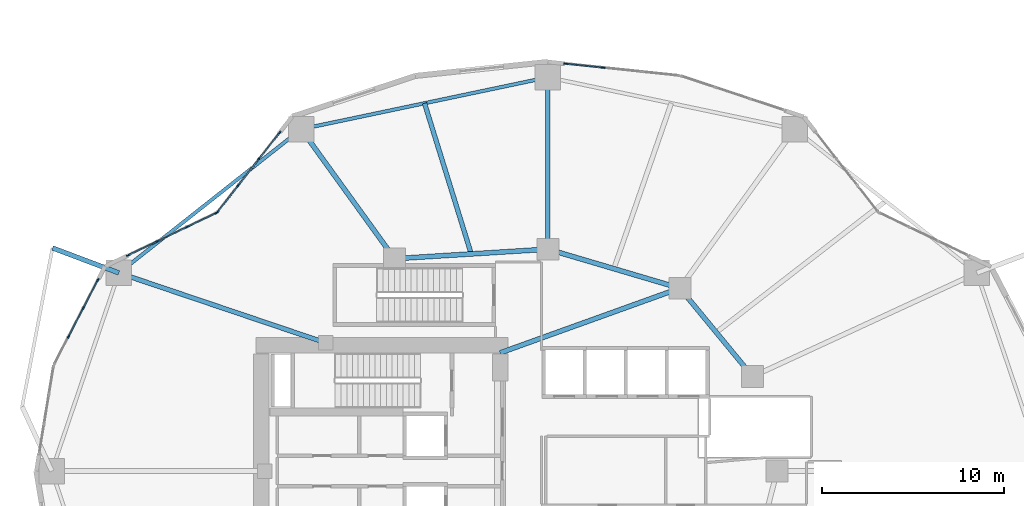
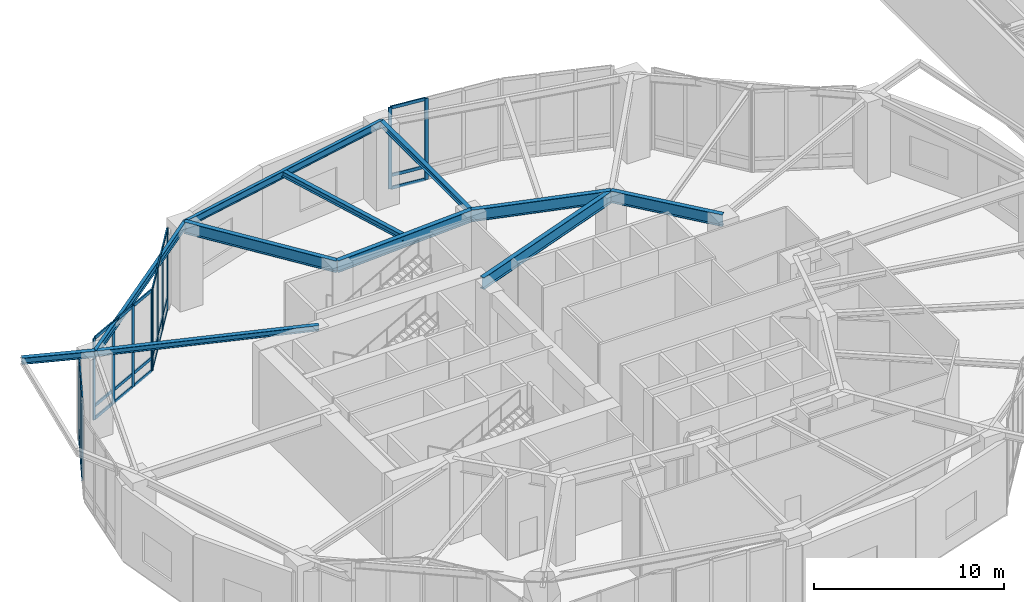
# One storey, part 9 of 29: 40 members, 11 beams, 4 elements without a shape of their own.
"""IFC4 building model written with IfcOpenShell, lengths in metres."""

from ifc_helpers import new_model, si_unit, direction, frame, origin, origin_2d, place, context, subcontext, project, spatial, rectangle, i_section, extrude, material, layer, layer_set, material_profile, profile_set, type_object, element, aggregate, save


model = new_model("IFC4")

# Units and contexts
model_context = context("Model", 3, precision=1e-05, world=origin(), true_north=direction((0.0, 1.0)))
body_context = subcontext(model_context, "Body", "Model", "MODEL_VIEW")
ifc_project = project(units=[si_unit("LENGTHUNIT", "METRE"), si_unit("AREAUNIT", "SQUARE_METRE"), si_unit("VOLUMEUNIT", "CUBIC_METRE"), si_unit("PLANEANGLEUNIT", "RADIAN"), si_unit("MASSUNIT", "GRAM", prefix="KILO")], contexts=[model_context])

# Site, building, storey
site_placement = place(None, origin())
site = spatial("IfcSite", under=ifc_project, at=site_placement, CompositionType="ELEMENT")
building_placement = place(site_placement, origin())
building = spatial("IfcBuilding", under=site, at=building_placement, Name="Kolvaren Gate Tower and Convention Centre", CompositionType="ELEMENT")
storey_placement = place(building_placement, frame((0.0, 0.0, 21.0)))
storey = spatial("IfcBuildingStorey", under=building, at=storey_placement, Name="L04", CompositionType="ELEMENT", Elevation=21.0)

# Curtain wall, members
ifc_material_1 = material(Name="Anodized Architectural Aluminium Alloy 6063-T6", Category="aluminium")
ifc_layer = layer(ifc_material_1, 0.179931640625)
ifc_layer_set = layer_set([ifc_layer], Name="Anodized Architectural Aluminium Alloy 6063-T6")
curtain_wall_type = type_object("IfcCurtainWallType", Name="CW-POD-GLZ", PredefinedType="NOTDEFINED", material=ifc_layer_set)
curtain_wall_1_placement = place(storey_placement, origin())
curtain_wall_1 = element("IfcCurtainWall", 1, at=curtain_wall_1_placement, inside=storey, type_object=curtain_wall_type, Name="Tower L04 Unitised Curtain Wall CW-POD-GLZ Bay 05", PredefinedType="NOTDEFINED")
ifc_material_profile_1 = material_profile(ifc_material_1, rectangle(XDim=0.074951171875, YDim=0.199951171875, at=origin_2d()), Name="CW-MEM-MUL-200")
ifc_profile_set_1 = profile_set([ifc_material_profile_1], Name="Anodized Architectural Aluminium Alloy 6063-T6")
member_type_1 = type_object("IfcMemberType", Name="CW-MEM-MUL-200", PredefinedType="MULLION", material=ifc_profile_set_1)
member_1_placement = place(storey_placement, frame((31.086181640625, 49.398681640625, 0.0), z_axis=(0.0, 0.0, 1.0), x_axis=(0.104748319841, 0.994498762941, 0.0)))
member_1 = element("IfcMember", 2, at=member_1_placement, type_object=member_type_1, Name="CW-01 mullion 1", PredefinedType="MULLION", context=body_context, shape_type="SweptSolid", body=[
    extrude(rectangle(XDim=0.074951171875, YDim=0.199951171875, at=origin_2d()), origin(), (0.0, 0.0, 1.0), 5.219970703125),
])
member_2_placement = place(storey_placement, frame((33.16748046875, 49.1796875, 0.0), z_axis=(0.0, 0.0, 1.0), x_axis=(0.104748319841, 0.994498762941, 0.0)))
member_2 = element("IfcMember", 3, at=member_2_placement, type_object=member_type_1, Name="CW-01 mullion 2", PredefinedType="MULLION", context=body_context, shape_type="SweptSolid", body=[
    extrude(rectangle(XDim=0.074951171875, YDim=0.199951171875, at=origin_2d()), origin(), (0.0, 0.0, 1.0), 5.219970703125),
])

curtain_wall_2_placement = place(storey_placement, origin())
curtain_wall_2 = element("IfcCurtainWall", 4, at=curtain_wall_2_placement, inside=storey, type_object=curtain_wall_type, Name="Tower L04 Unitised Curtain Wall CW-POD-GLZ Bay 08", PredefinedType="NOTDEFINED")
member_3_placement = place(storey_placement, frame((11.957763671875, 41.242431640625, 0.0), z_axis=(0.0, 0.0, 1.0), x_axis=(-0.787416755422, 0.616421003276, 0.0)))
member_3 = element("IfcMember", 5, at=member_3_placement, type_object=member_type_1, Name="CW-01 mullion 1", PredefinedType="MULLION", context=body_context, shape_type="SweptSolid", body=[
    extrude(rectangle(XDim=0.074951171875, YDim=0.199951171875, at=origin_2d()), origin(), (0.0, 0.0, 1.0), 5.219970703125),
])
member_4_placement = place(storey_placement, frame((13.08935546875, 42.68798828125, 0.0), z_axis=(0.0, 0.0, 1.0), x_axis=(-0.787416755422, 0.616421003276, 0.0)))
member_4 = element("IfcMember", 6, at=member_4_placement, type_object=member_type_1, Name="CW-01 mullion 2", PredefinedType="MULLION", context=body_context, shape_type="SweptSolid", body=[
    extrude(rectangle(XDim=0.074951171875, YDim=0.199951171875, at=origin_2d()), origin(), (0.0, 0.0, 1.0), 5.219970703125),
])
member_5_placement = place(storey_placement, frame((14.244140625, 44.1630859375, 0.0), z_axis=(0.0, 0.0, 1.0), x_axis=(-0.787416755422, 0.616421003276, 0.0)))
member_5 = element("IfcMember", 7, at=member_5_placement, type_object=member_type_1, Name="CW-01 mullion 3", PredefinedType="MULLION", context=body_context, shape_type="SweptSolid", body=[
    extrude(rectangle(XDim=0.074951171875, YDim=0.199951171875, at=origin_2d()), origin(), (0.0, 0.0, 1.0), 5.219970703125),
])
member_6_placement = place(storey_placement, frame((15.3759765625, 45.608642578125, 0.0), z_axis=(0.0, 0.0, 1.0), x_axis=(-0.787416755422, 0.616421003276, 0.0)))
member_6 = element("IfcMember", 8, at=member_6_placement, type_object=member_type_1, Name="CW-01 mullion 4", PredefinedType="MULLION", context=body_context, shape_type="SweptSolid", body=[
    extrude(rectangle(XDim=0.074951171875, YDim=0.199951171875, at=origin_2d()), origin(), (0.0, 0.0, 1.0), 5.219970703125),
])

curtain_wall_3_placement = place(storey_placement, origin())
curtain_wall_3 = element("IfcCurtainWall", 9, at=curtain_wall_3_placement, inside=storey, type_object=curtain_wall_type, Name="Tower L04 Unitised Curtain Wall CW-POD-GLZ Bay 09", PredefinedType="NOTDEFINED")
member_7_placement = place(storey_placement, frame((7.046630859375, 38.8642578125, 0.0), z_axis=(0.0, 0.0, 1.0), x_axis=(-0.433056703319, 0.901366679942, 0.0)))
member_7 = element("IfcMember", 10, at=member_7_placement, type_object=member_type_1, Name="CW-01 mullion 1", PredefinedType="MULLION", context=body_context, shape_type="SweptSolid", body=[
    extrude(rectangle(XDim=0.074951171875, YDim=0.199951171875, at=origin_2d()), origin(), (0.0, 0.0, 1.0), 5.219970703125),
])
member_8_placement = place(storey_placement, frame((8.6533203125, 39.63623046875, 0.0), z_axis=(0.0, 0.0, 1.0), x_axis=(-0.433056703319, 0.901366679942, 0.0)))
member_8 = element("IfcMember", 11, at=member_8_placement, type_object=member_type_1, Name="CW-01 mullion 2", PredefinedType="MULLION", context=body_context, shape_type="SweptSolid", body=[
    extrude(rectangle(XDim=0.074951171875, YDim=0.199951171875, at=origin_2d()), origin(), (0.0, 0.0, 1.0), 5.219970703125),
])
member_9_placement = place(storey_placement, frame((10.2939453125, 40.424560546875, 0.0), z_axis=(0.0, 0.0, 1.0), x_axis=(-0.433056703319, 0.901366679942, 0.0)))
member_9 = element("IfcMember", 12, at=member_9_placement, type_object=member_type_1, Name="CW-01 mullion 3", PredefinedType="MULLION", context=body_context, shape_type="SweptSolid", body=[
    extrude(rectangle(XDim=0.074951171875, YDim=0.199951171875, at=origin_2d()), origin(), (0.0, 0.0, 1.0), 5.219970703125),
])
member_10_placement = place(storey_placement, frame((11.90087890625, 41.196533203125, 0.0), z_axis=(0.0, 0.0, 1.0), x_axis=(-0.433056703319, 0.901366679942, 0.0)))
member_10 = element("IfcMember", 13, at=member_10_placement, type_object=member_type_1, Name="CW-01 mullion 4", PredefinedType="MULLION", context=body_context, shape_type="SweptSolid", body=[
    extrude(rectangle(XDim=0.074951171875, YDim=0.199951171875, at=origin_2d()), origin(), (0.0, 0.0, 1.0), 5.219970703125),
])

curtain_wall_4_placement = place(storey_placement, origin())
curtain_wall_4 = element("IfcCurtainWall", 14, at=curtain_wall_4_placement, inside=storey, type_object=curtain_wall_type, Name="Tower L04 Unitised Curtain Wall CW-POD-GLZ Bay 10", PredefinedType="NOTDEFINED")
member_11_placement = place(storey_placement, frame((3.77197265625, 34.39501953125, 0.0), z_axis=(0.0, 0.0, 1.0), x_axis=(-0.888028058024, 0.459789264949, 0.0)))
member_11 = element("IfcMember", 15, at=member_11_placement, type_object=member_type_1, Name="CW-01 mullion 2", PredefinedType="MULLION", context=body_context, shape_type="SweptSolid", body=[
    extrude(rectangle(XDim=0.074951171875, YDim=0.199951171875, at=origin_2d()), origin(), (0.0, 0.0, 1.0), 5.219970703125),
])
member_12_placement = place(storey_placement, frame((4.585693359375, 35.96630859375, 0.0), z_axis=(0.0, 0.0, 1.0), x_axis=(-0.888028058024, 0.459789264949, 0.0)))
member_12 = element("IfcMember", 16, at=member_12_placement, type_object=member_type_1, Name="CW-01 mullion 3", PredefinedType="MULLION", context=body_context, shape_type="SweptSolid", body=[
    extrude(rectangle(XDim=0.074951171875, YDim=0.199951171875, at=origin_2d()), origin(), (0.0, 0.0, 1.0), 5.219970703125),
])
member_13_placement = place(storey_placement, frame((5.382080078125, 37.504638671875, 0.0), z_axis=(0.0, 0.0, 1.0), x_axis=(-0.888028058024, 0.459789264949, 0.0)))
member_13 = element("IfcMember", 17, at=member_13_placement, type_object=member_type_1, Name="CW-01 mullion 4", PredefinedType="MULLION", context=body_context, shape_type="SweptSolid", body=[
    extrude(rectangle(XDim=0.074951171875, YDim=0.199951171875, at=origin_2d()), origin(), (0.0, 0.0, 1.0), 5.219970703125),
])

# Member
ifc_material_profile_2 = material_profile(ifc_material_1, rectangle(XDim=0.074951171875, YDim=0.199951171875, at=origin_2d()), Name="CW-MEM-TRN-200")
ifc_profile_set_2 = profile_set([ifc_material_profile_2], Name="Anodized Architectural Aluminium Alloy 6063-T6")
member_type_2 = type_object("IfcMemberType", Name="CW-MEM-TRN-200", PredefinedType="USERDEFINED", material=ifc_profile_set_2)
member_14_placement = place(storey_placement, frame((31.12353515625, 49.394775390625, 0.03759765625), z_axis=(0.9945074418, -0.104665888448, 0.0), x_axis=(0.104665888448, 0.9945074418, 0.0)))
member_14 = element("IfcMember", 18, at=member_14_placement, type_object=member_type_2, Name="CW-01 transom 1.1", ObjectType="TRANSOM", PredefinedType="USERDEFINED", context=body_context, shape_type="SweptSolid", body=[
    extrude(rectangle(XDim=0.074951171875, YDim=0.199951171875, at=origin_2d()), origin(), (0.0, 0.0, 1.0), 2.017578125),
])

member_15_placement = place(storey_placement, frame((31.12353515625, 49.394775390625, 0.85009765625), z_axis=(0.9945074418, -0.104665888448, 0.0), x_axis=(0.104665888448, 0.9945074418, 0.0)))
member_15 = element("IfcMember", 19, at=member_15_placement, type_object=member_type_2, Name="CW-01 transom 1.2", ObjectType="TRANSOM", PredefinedType="USERDEFINED", context=body_context, shape_type="SweptSolid", body=[
    extrude(rectangle(XDim=0.074951171875, YDim=0.199951171875, at=origin_2d()), origin(), (0.0, 0.0, 1.0), 2.017578125),
])

member_16_placement = place(storey_placement, frame((31.12353515625, 49.394775390625, 5.1826171875), z_axis=(0.9945074418, -0.104665888448, 0.0), x_axis=(0.104665888448, 0.9945074418, 0.0)))
member_16 = element("IfcMember", 20, at=member_16_placement, type_object=member_type_2, Name="CW-01 transom 1.3", ObjectType="TRANSOM", PredefinedType="USERDEFINED", context=body_context, shape_type="SweptSolid", body=[
    extrude(rectangle(XDim=0.074951171875, YDim=0.199951171875, at=origin_2d()), origin(), (0.0, 0.0, 1.0), 2.017578125),
])

aggregate(curtain_wall_1, [member_1, member_2, member_14, member_15, member_16])

member_17_placement = place(storey_placement, frame((11.98095703125, 41.27197265625, 0.03759765625), z_axis=(0.616442840137, 0.787399660175, 0.0), x_axis=(-0.787399660175, 0.616442840137, 0.0)))
member_17 = element("IfcMember", 21, at=member_17_placement, type_object=member_type_2, Name="CW-01 transom 1.1", ObjectType="TRANSOM", PredefinedType="USERDEFINED", context=body_context, shape_type="SweptSolid", body=[
    extrude(rectangle(XDim=0.074951171875, YDim=0.199951171875, at=origin_2d()), origin(), (0.0, 0.0, 1.0), 1.7607421875),
])

member_18_placement = place(storey_placement, frame((11.98095703125, 41.27197265625, 0.85009765625), z_axis=(0.616442840137, 0.787399660175, 0.0), x_axis=(-0.787399660175, 0.616442840137, 0.0)))
member_18 = element("IfcMember", 22, at=member_18_placement, type_object=member_type_2, Name="CW-01 transom 1.2", ObjectType="TRANSOM", PredefinedType="USERDEFINED", context=body_context, shape_type="SweptSolid", body=[
    extrude(rectangle(XDim=0.074951171875, YDim=0.199951171875, at=origin_2d()), origin(), (0.0, 0.0, 1.0), 1.7607421875),
])

member_19_placement = place(storey_placement, frame((11.98095703125, 41.27197265625, 5.1826171875), z_axis=(0.616442840137, 0.787399660175, 0.0), x_axis=(-0.787399660175, 0.616442840137, 0.0)))
member_19 = element("IfcMember", 23, at=member_19_placement, type_object=member_type_2, Name="CW-01 transom 1.3", ObjectType="TRANSOM", PredefinedType="USERDEFINED", context=body_context, shape_type="SweptSolid", body=[
    extrude(rectangle(XDim=0.074951171875, YDim=0.199951171875, at=origin_2d()), origin(), (0.0, 0.0, 1.0), 1.7607421875),
])

member_20_placement = place(storey_placement, frame((13.112548828125, 42.717529296875, 0.03759765625), z_axis=(0.616465649316, 0.787381802694, 0.0), x_axis=(-0.787381802694, 0.616465649316, 0.0)))
member_20 = element("IfcMember", 24, at=member_20_placement, type_object=member_type_2, Name="CW-01 transom 2.1", ObjectType="TRANSOM", PredefinedType="USERDEFINED", context=body_context, shape_type="SweptSolid", body=[
    extrude(rectangle(XDim=0.074951171875, YDim=0.199951171875, at=origin_2d()), origin(), (0.0, 0.0, 1.0), 1.79833984375),
])

member_21_placement = place(storey_placement, frame((13.112548828125, 42.717529296875, 0.85009765625), z_axis=(0.616465649316, 0.787381802694, 0.0), x_axis=(-0.787381802694, 0.616465649316, 0.0)))
member_21 = element("IfcMember", 25, at=member_21_placement, type_object=member_type_2, Name="CW-01 transom 2.2", ObjectType="TRANSOM", PredefinedType="USERDEFINED", context=body_context, shape_type="SweptSolid", body=[
    extrude(rectangle(XDim=0.074951171875, YDim=0.199951171875, at=origin_2d()), origin(), (0.0, 0.0, 1.0), 1.79833984375),
])

member_22_placement = place(storey_placement, frame((13.112548828125, 42.717529296875, 5.1826171875), z_axis=(0.616465649316, 0.787381802694, 0.0), x_axis=(-0.787381802694, 0.616465649316, 0.0)))
member_22 = element("IfcMember", 26, at=member_22_placement, type_object=member_type_2, Name="CW-01 transom 2.3", ObjectType="TRANSOM", PredefinedType="USERDEFINED", context=body_context, shape_type="SweptSolid", body=[
    extrude(rectangle(XDim=0.074951171875, YDim=0.199951171875, at=origin_2d()), origin(), (0.0, 0.0, 1.0), 1.79833984375),
])

member_23_placement = place(storey_placement, frame((14.267333984375, 44.192626953125, 0.03759765625), z_axis=(0.616442840137, 0.787399660175, 0.0), x_axis=(-0.787399660175, 0.616442840137, 0.0)))
member_23 = element("IfcMember", 27, at=member_23_placement, type_object=member_type_2, Name="CW-01 transom 3.1", ObjectType="TRANSOM", PredefinedType="USERDEFINED", context=body_context, shape_type="SweptSolid", body=[
    extrude(rectangle(XDim=0.074951171875, YDim=0.199951171875, at=origin_2d()), origin(), (0.0, 0.0, 1.0), 1.7607421875),
])

member_24_placement = place(storey_placement, frame((14.267333984375, 44.192626953125, 0.85009765625), z_axis=(0.616442840137, 0.787399660175, 0.0), x_axis=(-0.787399660175, 0.616442840137, 0.0)))
member_24 = element("IfcMember", 28, at=member_24_placement, type_object=member_type_2, Name="CW-01 transom 3.2", ObjectType="TRANSOM", PredefinedType="USERDEFINED", context=body_context, shape_type="SweptSolid", body=[
    extrude(rectangle(XDim=0.074951171875, YDim=0.199951171875, at=origin_2d()), origin(), (0.0, 0.0, 1.0), 1.7607421875),
])

member_25_placement = place(storey_placement, frame((14.267333984375, 44.192626953125, 5.1826171875), z_axis=(0.616442840137, 0.787399660175, 0.0), x_axis=(-0.787399660175, 0.616442840137, 0.0)))
member_25 = element("IfcMember", 29, at=member_25_placement, type_object=member_type_2, Name="CW-01 transom 3.3", ObjectType="TRANSOM", PredefinedType="USERDEFINED", context=body_context, shape_type="SweptSolid", body=[
    extrude(rectangle(XDim=0.074951171875, YDim=0.199951171875, at=origin_2d()), origin(), (0.0, 0.0, 1.0), 1.7607421875),
])

aggregate(curtain_wall_2, [member_3, member_4, member_5, member_6, member_17, member_18, member_19, member_20, member_21, member_22, member_23, member_24, member_25])

member_26_placement = place(storey_placement, frame((7.080322265625, 38.880615234375, 0.03759765625), z_axis=(0.901377999465, 0.433033142011, 0.0), x_axis=(-0.433033142011, 0.901377999465, 0.0)))
member_26 = element("IfcMember", 30, at=member_26_placement, type_object=member_type_2, Name="CW-01 transom 1.1", ObjectType="TRANSOM", PredefinedType="USERDEFINED", context=body_context, shape_type="SweptSolid", body=[
    extrude(rectangle(XDim=0.074951171875, YDim=0.199951171875, at=origin_2d()), origin(), (0.0, 0.0, 1.0), 1.707763671875),
])

member_27_placement = place(storey_placement, frame((7.080322265625, 38.880615234375, 0.85009765625), z_axis=(0.901377999465, 0.433033142011, 0.0), x_axis=(-0.433033142011, 0.901377999465, 0.0)))
member_27 = element("IfcMember", 31, at=member_27_placement, type_object=member_type_2, Name="CW-01 transom 1.2", ObjectType="TRANSOM", PredefinedType="USERDEFINED", context=body_context, shape_type="SweptSolid", body=[
    extrude(rectangle(XDim=0.074951171875, YDim=0.199951171875, at=origin_2d()), origin(), (0.0, 0.0, 1.0), 1.707763671875),
])

member_28_placement = place(storey_placement, frame((7.080322265625, 38.880615234375, 5.1826171875), z_axis=(0.901377999465, 0.433033142011, 0.0), x_axis=(-0.433033142011, 0.901377999465, 0.0)))
member_28 = element("IfcMember", 32, at=member_28_placement, type_object=member_type_2, Name="CW-01 transom 1.3", ObjectType="TRANSOM", PredefinedType="USERDEFINED", context=body_context, shape_type="SweptSolid", body=[
    extrude(rectangle(XDim=0.074951171875, YDim=0.199951171875, at=origin_2d()), origin(), (0.0, 0.0, 1.0), 1.707763671875),
])

member_29_placement = place(storey_placement, frame((8.687255859375, 39.652587890625, 0.03759765625), z_axis=(0.901339603895, 0.433113055046, 0.0), x_axis=(-0.433113055046, 0.901339603895, 0.0)))
member_29 = element("IfcMember", 33, at=member_29_placement, type_object=member_type_2, Name="CW-01 transom 2.1", ObjectType="TRANSOM", PredefinedType="USERDEFINED", context=body_context, shape_type="SweptSolid", body=[
    extrude(rectangle(XDim=0.074951171875, YDim=0.199951171875, at=origin_2d()), origin(), (0.0, 0.0, 1.0), 1.7451171875),
])

member_30_placement = place(storey_placement, frame((8.687255859375, 39.652587890625, 0.85009765625), z_axis=(0.901339603895, 0.433113055046, 0.0), x_axis=(-0.433113055046, 0.901339603895, 0.0)))
member_30 = element("IfcMember", 34, at=member_30_placement, type_object=member_type_2, Name="CW-01 transom 2.2", ObjectType="TRANSOM", PredefinedType="USERDEFINED", context=body_context, shape_type="SweptSolid", body=[
    extrude(rectangle(XDim=0.074951171875, YDim=0.199951171875, at=origin_2d()), origin(), (0.0, 0.0, 1.0), 1.7451171875),
])

member_31_placement = place(storey_placement, frame((8.687255859375, 39.652587890625, 5.1826171875), z_axis=(0.901339603895, 0.433113055046, 0.0), x_axis=(-0.433113055046, 0.901339603895, 0.0)))
member_31 = element("IfcMember", 35, at=member_31_placement, type_object=member_type_2, Name="CW-01 transom 2.3", ObjectType="TRANSOM", PredefinedType="USERDEFINED", context=body_context, shape_type="SweptSolid", body=[
    extrude(rectangle(XDim=0.074951171875, YDim=0.199951171875, at=origin_2d()), origin(), (0.0, 0.0, 1.0), 1.7451171875),
])

member_32_placement = place(storey_placement, frame((10.327880859375, 40.44091796875, 0.03759765625), z_axis=(0.901377999465, 0.433033142011, 0.0), x_axis=(-0.433033142011, 0.901377999465, 0.0)))
member_32 = element("IfcMember", 36, at=member_32_placement, type_object=member_type_2, Name="CW-01 transom 3.1", ObjectType="TRANSOM", PredefinedType="USERDEFINED", context=body_context, shape_type="SweptSolid", body=[
    extrude(rectangle(XDim=0.074951171875, YDim=0.199951171875, at=origin_2d()), origin(), (0.0, 0.0, 1.0), 1.707763671875),
])

member_33_placement = place(storey_placement, frame((10.327880859375, 40.44091796875, 0.85009765625), z_axis=(0.901377999465, 0.433033142011, 0.0), x_axis=(-0.433033142011, 0.901377999465, 0.0)))
member_33 = element("IfcMember", 37, at=member_33_placement, type_object=member_type_2, Name="CW-01 transom 3.2", ObjectType="TRANSOM", PredefinedType="USERDEFINED", context=body_context, shape_type="SweptSolid", body=[
    extrude(rectangle(XDim=0.074951171875, YDim=0.199951171875, at=origin_2d()), origin(), (0.0, 0.0, 1.0), 1.707763671875),
])

member_34_placement = place(storey_placement, frame((10.327880859375, 40.44091796875, 5.1826171875), z_axis=(0.901377999465, 0.433033142011, 0.0), x_axis=(-0.433033142011, 0.901377999465, 0.0)))
member_34 = element("IfcMember", 38, at=member_34_placement, type_object=member_type_2, Name="CW-01 transom 3.3", ObjectType="TRANSOM", PredefinedType="USERDEFINED", context=body_context, shape_type="SweptSolid", body=[
    extrude(rectangle(XDim=0.074951171875, YDim=0.199951171875, at=origin_2d()), origin(), (0.0, 0.0, 1.0), 1.707763671875),
])

aggregate(curtain_wall_3, [member_7, member_8, member_9, member_10, member_26, member_27, member_28, member_29, member_30, member_31, member_32, member_33, member_34])

member_35_placement = place(storey_placement, frame((3.789306640625, 34.42822265625, 0.03759765625), z_axis=(0.459732523295, 0.888057434531, 0.0), x_axis=(-0.888057434531, 0.459732523295, 0.0)))
member_35 = element("IfcMember", 39, at=member_35_placement, type_object=member_type_2, Name="CW-01 transom 2.1", ObjectType="TRANSOM", PredefinedType="USERDEFINED", context=body_context, shape_type="SweptSolid", body=[
    extrude(rectangle(XDim=0.074951171875, YDim=0.199951171875, at=origin_2d()), origin(), (0.0, 0.0, 1.0), 1.694580078125),
])

member_36_placement = place(storey_placement, frame((3.789306640625, 34.42822265625, 0.85009765625), z_axis=(0.459732523295, 0.888057434531, 0.0), x_axis=(-0.888057434531, 0.459732523295, 0.0)))
member_36 = element("IfcMember", 40, at=member_36_placement, type_object=member_type_2, Name="CW-01 transom 2.2", ObjectType="TRANSOM", PredefinedType="USERDEFINED", context=body_context, shape_type="SweptSolid", body=[
    extrude(rectangle(XDim=0.074951171875, YDim=0.199951171875, at=origin_2d()), origin(), (0.0, 0.0, 1.0), 1.694580078125),
])

member_37_placement = place(storey_placement, frame((3.789306640625, 34.42822265625, 5.1826171875), z_axis=(0.459732523295, 0.888057434531, 0.0), x_axis=(-0.888057434531, 0.459732523295, 0.0)))
member_37 = element("IfcMember", 41, at=member_37_placement, type_object=member_type_2, Name="CW-01 transom 2.3", ObjectType="TRANSOM", PredefinedType="USERDEFINED", context=body_context, shape_type="SweptSolid", body=[
    extrude(rectangle(XDim=0.074951171875, YDim=0.199951171875, at=origin_2d()), origin(), (0.0, 0.0, 1.0), 1.694580078125),
])

member_38_placement = place(storey_placement, frame((4.602783203125, 35.999755859375, 0.03759765625), z_axis=(0.459839725039, 0.88800192977, 0.0), x_axis=(-0.88800192977, 0.459839725039, 0.0)))
member_38 = element("IfcMember", 42, at=member_38_placement, type_object=member_type_2, Name="CW-01 transom 3.1", ObjectType="TRANSOM", PredefinedType="USERDEFINED", context=body_context, shape_type="SweptSolid", body=[
    extrude(rectangle(XDim=0.074951171875, YDim=0.199951171875, at=origin_2d()), origin(), (0.0, 0.0, 1.0), 1.656982421875),
])

member_39_placement = place(storey_placement, frame((4.602783203125, 35.999755859375, 0.85009765625), z_axis=(0.459839725039, 0.88800192977, 0.0), x_axis=(-0.88800192977, 0.459839725039, 0.0)))
member_39 = element("IfcMember", 43, at=member_39_placement, type_object=member_type_2, Name="CW-01 transom 3.2", ObjectType="TRANSOM", PredefinedType="USERDEFINED", context=body_context, shape_type="SweptSolid", body=[
    extrude(rectangle(XDim=0.074951171875, YDim=0.199951171875, at=origin_2d()), origin(), (0.0, 0.0, 1.0), 1.656982421875),
])

member_40_placement = place(storey_placement, frame((4.602783203125, 35.999755859375, 5.1826171875), z_axis=(0.459839725039, 0.88800192977, 0.0), x_axis=(-0.88800192977, 0.459839725039, 0.0)))
member_40 = element("IfcMember", 44, at=member_40_placement, type_object=member_type_2, Name="CW-01 transom 3.3", ObjectType="TRANSOM", PredefinedType="USERDEFINED", context=body_context, shape_type="SweptSolid", body=[
    extrude(rectangle(XDim=0.074951171875, YDim=0.199951171875, at=origin_2d()), origin(), (0.0, 0.0, 1.0), 1.656982421875),
])

aggregate(curtain_wall_4, [member_11, member_12, member_13, member_35, member_36, member_37, member_38, member_39, member_40])

# Beams
ifc_material_2 = material(Name="Structural steel ASTM A992 Grade 345 MPa", Category="steel")
ifc_material_profile_3 = material_profile(ifc_material_2, i_section(OverallWidth=0.260009765625, OverallDepth=0.419921875, WebThickness=0.013427734375, FlangeThickness=0.0224609375, at=origin_2d()), Name="W410X132")
ifc_profile_set_3 = profile_set([ifc_material_profile_3], Name="Structural steel ASTM A992 Grade 345 MPa")
beam_type_1 = type_object("IfcBeamType", Name="STR-BM-W410X132", PredefinedType="BEAM", material=ifc_profile_set_3)
beam_1_placement = place(storey_placement, frame((6.539794921875, 37.8935546875, 5.010498046875), z_axis=(-0.935978844887, 0.352056248238, 0.0), x_axis=(-0.352056248238, -0.935978844887, 0.0)))
element("IfcBeam", 45, at=beam_1_placement, inside=storey, type_object=beam_type_1, Name="Tower L05 Planted Balcony Outrigger Cantilever BC-2A", PredefinedType="BEAM", context=body_context, shape_type="SweptSolid", body=[
    extrude(i_section(OverallWidth=0.260009765625, OverallDepth=0.419921875, WebThickness=0.013427734375, FlangeThickness=0.0224609375, at=origin_2d()), origin(), (0.0, 0.0, 1.0), 3.900146484375),
])
ifc_material_profile_4 = material_profile(ifc_material_2, i_section(OverallWidth=0.26806640625, OverallDepth=0.758056640625, WebThickness=0.016357421875, FlangeThickness=0.025390625, at=origin_2d()), Name="W760X220")
ifc_profile_set_4 = profile_set([ifc_material_profile_4], Name="Structural steel ASTM A992 Grade 345 MPa")
beam_type_2 = type_object("IfcBeamType", Name="STR-BM-W760X220", PredefinedType="BEAM", material=ifc_profile_set_4)
beam_2_placement = place(storey_placement, frame((41.382080078125, 32.199462890625, 4.841064453125), z_axis=(-0.635884066011, 0.771784590798, 0.0), x_axis=(-0.771784590798, -0.635884066011, 0.0)))
element("IfcBeam", 46, at=beam_2_placement, inside=storey, type_object=beam_type_2, Name="Tower L04 Primary Ring Girder G-02", PredefinedType="BEAM", context=body_context, shape_type="SweptSolid", body=[
    extrude(i_section(OverallWidth=0.26806640625, OverallDepth=0.758056640625, WebThickness=0.016357421875, FlangeThickness=0.025390625, at=origin_2d()), origin(), (0.0, 0.0, 1.0), 6.291259765625),
])
beam_3_placement = place(storey_placement, frame((37.381591796875, 37.054931640625, 4.841064453125), z_axis=(-0.958980837827, 0.283470902706, 0.0), x_axis=(-0.283470902706, -0.958980837827, 0.0)))
element("IfcBeam", 47, at=beam_3_placement, inside=storey, type_object=beam_type_2, Name="Tower L04 Primary Ring Girder G-03", PredefinedType="BEAM", context=body_context, shape_type="SweptSolid", body=[
    extrude(i_section(OverallWidth=0.26806640625, OverallDepth=0.758056640625, WebThickness=0.016357421875, FlangeThickness=0.025390625, at=origin_2d()), origin(), (0.0, 0.0, 1.0), 7.56689453125),
])
beam_4_placement = place(storey_placement, frame((30.125, 39.199951171875, 4.841064453125), z_axis=(-0.998078258568, -0.06196603726, 0.0), x_axis=(0.06196603726, -0.998078258568, 0.0)))
element("IfcBeam", 48, at=beam_4_placement, inside=storey, type_object=beam_type_2, Name="Tower L04 Primary Ring Girder G-04", PredefinedType="BEAM", context=body_context, shape_type="SweptSolid", body=[
    extrude(i_section(OverallWidth=0.26806640625, OverallDepth=0.758056640625, WebThickness=0.016357421875, FlangeThickness=0.025390625, at=origin_2d()), origin(), (0.0, 0.0, 1.0), 8.443115234375),
])
beam_5_placement = place(storey_placement, frame((27.5, 33.5, 4.841064453125), z_axis=(0.940961479908, 0.338513653093, 0.0), x_axis=(-0.338513653093, 0.940961479908, 0.0)))
element("IfcBeam", 49, at=beam_5_placement, inside=storey, type_object=beam_type_2, Name="Tower L04 Primary Ring Girder G-10", PredefinedType="BEAM", context=body_context, shape_type="SweptSolid", body=[
    extrude(i_section(OverallWidth=0.26806640625, OverallDepth=0.758056640625, WebThickness=0.016357421875, FlangeThickness=0.025390625, at=origin_2d()), origin(), (0.0, 0.0, 1.0), 10.501708984375),
])
beam_6_placement = place(storey_placement, frame((21.697998046875, 38.6767578125, 4.841064453125), z_axis=(-0.585208283095, 0.810883015852, 0.0), x_axis=(-0.810883015852, -0.585208283095, 0.0)))
element("IfcBeam", 50, at=beam_6_placement, inside=storey, type_object=beam_type_2, Name="Tower L04 Radial Floor Girder RB-05", PredefinedType="BEAM", context=body_context, shape_type="SweptSolid", body=[
    extrude(i_section(OverallWidth=0.26806640625, OverallDepth=0.758056640625, WebThickness=0.016357421875, FlangeThickness=0.025390625, at=origin_2d()), origin(), (0.0, 0.0, 1.0), 8.780029296875),
])
ifc_material_profile_5 = material_profile(ifc_material_2, i_section(OverallWidth=0.2548828125, OverallDepth=0.35693359375, WebThickness=0.010498046875, FlangeThickness=0.018310546875, at=origin_2d()), Name="W360X101")
ifc_profile_set_5 = profile_set([ifc_material_profile_5], Name="Structural steel ASTM A992 Grade 345 MPa")
beam_type_3 = type_object("IfcBeamType", Name="STR-JS-W360X101", PredefinedType="JOIST", material=ifc_profile_set_5)
beam_7_placement = place(storey_placement, frame((30.125, 39.199951171875, 5.04150390625), z_axis=(0.0, 1.0, 0.0), x_axis=(-1.0, 0.0, 0.0)))
element("IfcBeam", 51, at=beam_7_placement, inside=storey, type_object=beam_type_3, Name="Tower L04 Radial Floor Girder RB-04", PredefinedType="JOIST", context=body_context, shape_type="SweptSolid", body=[
    extrude(i_section(OverallWidth=0.2548828125, OverallDepth=0.35693359375, WebThickness=0.010498046875, FlangeThickness=0.018310546875, at=origin_2d()), origin(), (0.0, 0.0, 1.0), 9.449951171875),
])
beam_8_placement = place(storey_placement, frame((17.9140625, 34.050048828125, 5.04150390625), z_axis=(-0.947373842609, 0.320129352512, 0.0), x_axis=(-0.320129352512, -0.947373842609, 0.0)))
element("IfcBeam", 52, at=beam_8_placement, inside=storey, type_object=beam_type_3, Name="Tower L04 Radial Floor Girder RB-06", PredefinedType="JOIST", context=body_context, shape_type="SweptSolid", body=[
    extrude(i_section(OverallWidth=0.2548828125, OverallDepth=0.35693359375, WebThickness=0.010498046875, FlangeThickness=0.018310546875, at=origin_2d()), origin(), (0.0, 0.0, 1.0), 12.006103515625),
])
beam_9_placement = place(storey_placement, frame((25.91162109375, 38.938232421875, 5.04150390625), z_axis=(-0.296205333134, 0.955124285433, 0.0), x_axis=(-0.955124285433, -0.296205333134, 0.0)))
element("IfcBeam", 53, at=beam_9_placement, inside=storey, type_object=beam_type_3, Name="Tower L04 Secondary Composite Floor Joist J-04.1", PredefinedType="JOIST", context=body_context, shape_type="SweptSolid", body=[
    extrude(i_section(OverallWidth=0.2548828125, OverallDepth=0.35693359375, WebThickness=0.010498046875, FlangeThickness=0.018310546875, at=origin_2d()), origin(), (0.0, 0.0, 1.0), 8.674072265625),
])
ifc_material_profile_6 = material_profile(ifc_material_2, i_section(OverallWidth=0.194091796875, OverallDepth=0.468994140625, WebThickness=0.0126953125, FlangeThickness=0.0205078125, at=origin_2d()), Name="W460X106")
ifc_profile_set_6 = profile_set([ifc_material_profile_6], Name="Structural steel ASTM A992 Grade 345 MPa")
beam_type_4 = type_object("IfcBeamType", Name="STR-SP-W460X106", PredefinedType="SPANDREL", material=ifc_profile_set_6)
beam_10_placement = place(storey_placement, frame((30.125, 48.64990234375, 4.985595703125), z_axis=(-0.978583407863, -0.205850707685, 0.0), x_axis=(0.205850707685, -0.978583407863, 0.0)))
element("IfcBeam", 54, at=beam_10_placement, inside=storey, type_object=beam_type_4, Name="Tower L04 Perimeter Spandrel Beam SP-04", PredefinedType="SPANDREL", context=body_context, shape_type="SweptSolid", body=[
    extrude(i_section(OverallWidth=0.194091796875, OverallDepth=0.468994140625, WebThickness=0.0126953125, FlangeThickness=0.0205078125, at=origin_2d()), origin(), (0.0, 0.0, 1.0), 13.862060546875),
])
beam_11_placement = place(storey_placement, frame((16.559814453125, 45.79638671875, 4.985595703125), z_axis=(-0.785176498861, -0.619272044933, 0.0), x_axis=(0.619272044933, -0.785176498861, 0.0)))
element("IfcBeam", 55, at=beam_11_placement, inside=storey, type_object=beam_type_4, Name="Tower L04 Perimeter Spandrel Beam SP-05", PredefinedType="SPANDREL", context=body_context, shape_type="SweptSolid", body=[
    extrude(i_section(OverallWidth=0.194091796875, OverallDepth=0.468994140625, WebThickness=0.0126953125, FlangeThickness=0.0205078125, at=origin_2d()), origin(), (0.0, 0.0, 1.0), 12.761474609375),
])

save(model, "model.ifc")
